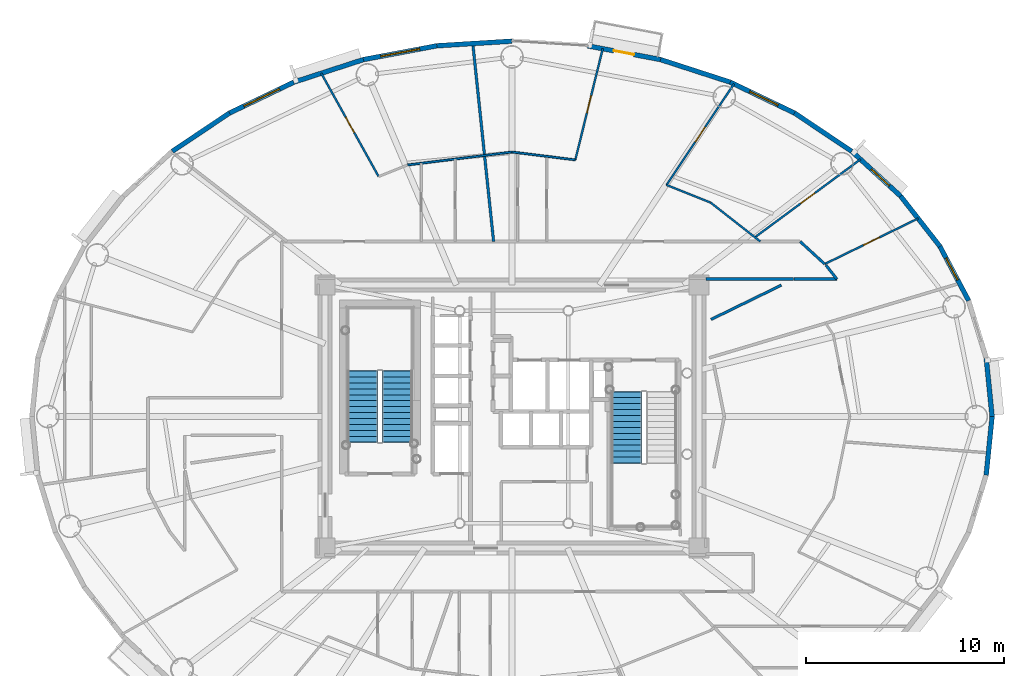
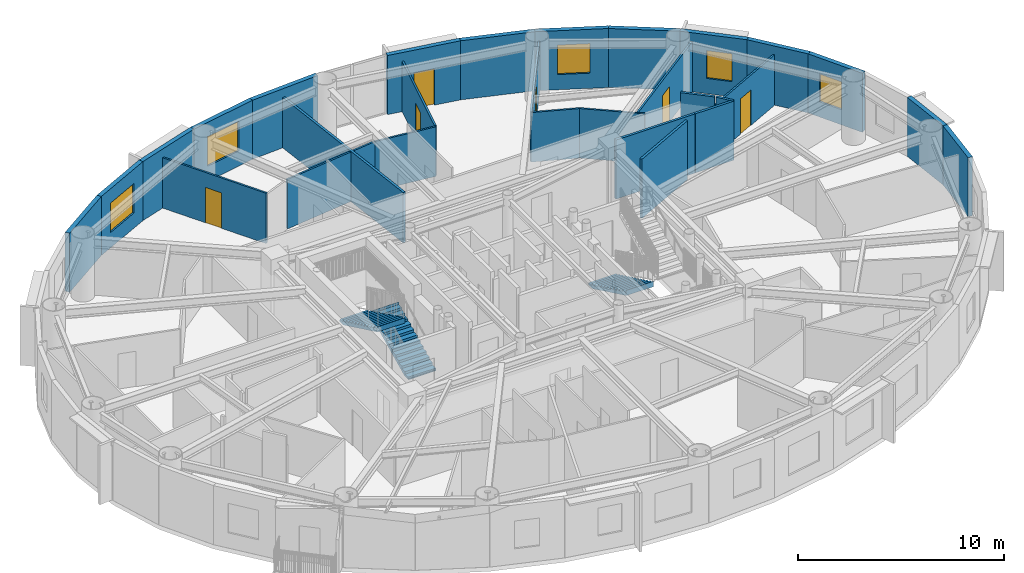
# One storey, part 10 of 18: 29 walls, 6 doors, 5 windows, 3 stair flights, 11 openings, 2 elements without a shape of their own.
"""IFC4 building model written with IfcOpenShell, lengths in metres."""

from ifc_helpers import new_model, si_unit, direction, frame, frame_2d, origin, origin_2d, place, context, subcontext, project, spatial, polyline, rectangle, outline, extrude, source, transform, mapped, material, layer, layer_set, type_object, element, fill, aggregate, save


model = new_model("IFC4")

# Units and contexts
model_context = context("Model", 3, precision=1e-05, world=origin(), true_north=direction((0.0, 1.0)))
body_context = subcontext(model_context, "Body", "Model", "MODEL_VIEW")
ifc_project = project(units=[si_unit("LENGTHUNIT", "METRE"), si_unit("AREAUNIT", "SQUARE_METRE"), si_unit("VOLUMEUNIT", "CUBIC_METRE"), si_unit("PLANEANGLEUNIT", "RADIAN"), si_unit("MASSUNIT", "GRAM", prefix="KILO")], contexts=[model_context])

# Site, building, storey
site_placement = place(None, origin())
site = spatial("IfcSite", under=ifc_project, at=site_placement, CompositionType="ELEMENT")
building_placement = place(site_placement, origin())
building = spatial("IfcBuilding", under=site, at=building_placement, Name="Linh Dai School and Residence Tower", CompositionType="ELEMENT")
storey_placement = place(building_placement, frame((0.0, 0.0, 240.300048828125)))
storey = spatial("IfcBuildingStorey", under=building, at=storey_placement, Name="L59", CompositionType="ELEMENT", Elevation=240.300048828125)

# Wall
ifc_material_1 = material(Name="Precast Concrete B45 (C35/45)", Category="concrete")
ifc_layer_1 = layer(ifc_material_1, 0.239990234375)
ifc_layer_set_1 = layer_set([ifc_layer_1], Name="Precast Concrete B45 (C35/45)")
wall_type_1 = type_object("IfcWallType", Name="EW-TC-240", PredefinedType="SOLIDWALL", material=ifc_layer_set_1)
wall_1_placement = place(storey_placement, frame((59.97705078125, 29.9638671875, 0.0), z_axis=(0.0, 0.0, 1.0), x_axis=(0.099990595253, -0.994988382274, 0.0)))
element("IfcWall", 1, at=wall_1_placement, inside=storey, type_object=wall_type_1, Name="L59 Terracotta Exterior Wall 01", PredefinedType="SOLIDWALL", context=body_context, shape_type="SweptSolid", body=[
    extrude(rectangle(XDim=2.978759765625, YDim=0.239990234375, at=frame_2d((1.4892578125, 0.0))), origin(), (0.0, 0.0, 1.0), 3.5),
])

# Wall, opening, window
wall_2_placement = place(storey_placement, frame((57.6357421875, 35.605224609375, 0.0), z_axis=(0.0, 0.0, 1.0), x_axis=(0.46766049993, -0.883908172157, 0.0)))
wall_2 = element("IfcWall", 2, at=wall_2_placement, inside=storey, type_object=wall_type_1, Name="L59 Terracotta Exterior Wall 03", PredefinedType="SOLIDWALL", context=body_context, shape_type="SweptSolid", body=[
    extrude(rectangle(XDim=3.1103515625, YDim=0.239990234375, at=frame_2d((1.55517578125, 0.0))), origin(), (0.0, 0.0, 1.0), 3.5),
])
opening_1_placement = place(wall_2_placement, frame((0.663818359375, 0.0, 0.89990234375)))
opening_1 = element("IfcOpeningElement", 3, at=opening_1_placement, cuts=wall_2, Name="Opening W3", PredefinedType="OPENING", context=body_context, shape_type="SweptSolid", body=[
    extrude(rectangle(XDim=1.25, YDim=1.64990234375, at=origin_2d()), frame((0.625, 0.1298828125, 0.824951171875), z_axis=(0.0, -1.0, 0.0), x_axis=(1.0, 0.0, 0.0)), (0.0, 0.0, 1.0), 0.260009765625),
])
ifc_material_2 = material(Name="Double Low-E Insulated Glazing", Category="glass")
window_type_1 = type_object("IfcWindowType", Name="WN-RES-1250x1650", PartitioningType="SINGLE_PANEL", PredefinedType="WINDOW", material=ifc_material_2)
shared_shape_1 = source(origin(), body_context, "Body", "SweptSolid", [
    extrude(rectangle(XDim=1.25, YDim=1.64990234375, at=origin_2d()), frame((0.625, 0.030029296875, 0.824951171875), z_axis=(0.0, -1.0, 0.0), x_axis=(1.0, 0.0, 0.0)), (0.0, 0.0, 1.0), 0.06005859375),
])
window_1_placement = place(opening_1_placement, origin())
window_1 = element("IfcWindow", 4, at=window_1_placement, inside=storey, type_object=window_type_1, Name="L59 Dwelling Window U5906-BD1", OverallHeight=1.64990234375, OverallWidth=1.25, PartitioningType="SINGLE_PANEL", PredefinedType="WINDOW", context=body_context, shape_type="MappedRepresentation", body=[
    mapped(shared_shape_1, transform((0.0, 0.0, 0.0), x_axis=(1.0, 0.0, 0.0), y_axis=(0.0, 1.0, 0.0), z_axis=(0.0, 0.0, 1.0), scale=1.0)),
])
fill(opening_1, window_1)

# Wall
wall_3_placement = place(storey_placement, frame((55.6484375, 38.14453125, 0.0), z_axis=(0.0, 0.0, 1.0), x_axis=(0.616312344705, -0.787501805562, 0.0)))
element("IfcWall", 5, at=wall_3_placement, inside=storey, type_object=wall_type_1, Name="L59 Terracotta Exterior Wall 04", PredefinedType="SOLIDWALL", context=body_context, shape_type="SweptSolid", body=[
    extrude(rectangle(XDim=3.224609375, YDim=0.239990234375, at=frame_2d((1.6123046875, 0.0))), origin(), (0.0, 0.0, 1.0), 3.5),
])

# Wall, opening, window
wall_4_placement = place(storey_placement, frame((53.17626953125, 40.410888671875, 0.0), z_axis=(0.0, 0.0, 1.0), x_axis=(0.737123922599, -0.675757591694, 0.0)))
wall_4 = element("IfcWall", 6, at=wall_4_placement, inside=storey, type_object=wall_type_1, Name="L59 Terracotta Exterior Wall 05", PredefinedType="SOLIDWALL", context=body_context, shape_type="SweptSolid", body=[
    extrude(rectangle(XDim=3.353759765625, YDim=0.239990234375, at=frame_2d((1.6767578125, 0.0))), origin(), (0.0, 0.0, 1.0), 3.5),
])
opening_2_placement = place(wall_4_placement, frame((1.3359375, 0.0, 0.89990234375)))
opening_2 = element("IfcOpeningElement", 7, at=opening_2_placement, cuts=wall_4, Name="Opening W3", PredefinedType="OPENING", context=body_context, shape_type="SweptSolid", body=[
    extrude(rectangle(XDim=1.25, YDim=1.64990234375, at=origin_2d()), frame((0.625, 0.1298828125, 0.824951171875), z_axis=(0.0, -1.0, 0.0), x_axis=(1.0, 0.0, 0.0)), (0.0, 0.0, 1.0), 0.260009765625),
])
window_2_placement = place(opening_2_placement, origin())
window_2 = element("IfcWindow", 8, at=window_2_placement, inside=storey, type_object=window_type_1, Name="L59 Exterior Window 05.1", OverallHeight=1.64990234375, OverallWidth=1.25, PartitioningType="SINGLE_PANEL", PredefinedType="WINDOW", context=body_context, shape_type="MappedRepresentation", body=[
    mapped(shared_shape_1, transform((0.0, 0.0, 0.0), x_axis=(1.0, 0.0, 0.0), y_axis=(0.0, 1.0, 0.0), z_axis=(0.0, 0.0, 1.0), scale=1.0)),
])
fill(opening_2, window_2)

# Wall
wall_5_placement = place(storey_placement, frame((50.280029296875, 42.34765625, 0.0), z_axis=(0.0, 0.0, 1.0), x_axis=(0.831262496074, -0.555880079352, 0.0)))
element("IfcWall", 9, at=wall_5_placement, inside=storey, type_object=wall_type_1, Name="L59 Terracotta Exterior Wall 06", PredefinedType="SOLIDWALL", context=body_context, shape_type="SweptSolid", body=[
    extrude(rectangle(XDim=3.484130859375, YDim=0.239990234375, at=frame_2d((1.7421875, 0.0))), origin(), (0.0, 0.0, 1.0), 3.5),
])

# Wall, opening, window
wall_6_placement = place(storey_placement, frame((47.031005859375, 43.906494140625, 0.0), z_axis=(0.0, 0.0, 1.0), x_axis=(0.901598104751, -0.432574684313, 0.0)))
wall_6 = element("IfcWall", 10, at=wall_6_placement, inside=storey, type_object=wall_type_1, Name="L59 Terracotta Exterior Wall 07", PredefinedType="SOLIDWALL", context=body_context, shape_type="SweptSolid", body=[
    extrude(rectangle(XDim=3.603515625, YDim=0.239990234375, at=frame_2d((1.8017578125, 0.0))), origin(), (0.0, 0.0, 1.0), 3.5),
])
opening_3_placement = place(wall_6_placement, frame((1.093994140625, 0.0, 0.89990234375)))
opening_3 = element("IfcOpeningElement", 11, at=opening_3_placement, cuts=wall_6, Name="Opening W2", PredefinedType="OPENING", context=body_context, shape_type="SweptSolid", body=[
    extrude(rectangle(XDim=1.60009765625, YDim=1.75, at=origin_2d()), frame((0.800048828125, 0.1298828125, 0.875), z_axis=(0.0, -1.0, 0.0), x_axis=(1.0, 0.0, 0.0)), (0.0, 0.0, 1.0), 0.260009765625),
])
window_type_2 = type_object("IfcWindowType", Name="WN-RES-1600x1750", PartitioningType="DOUBLE_PANEL_VERTICAL", PredefinedType="WINDOW", material=ifc_material_2)
shared_shape_2 = source(origin(), body_context, "Body", "SweptSolid", [
    extrude(rectangle(XDim=1.60009765625, YDim=1.75, at=origin_2d()), frame((0.800048828125, 0.030029296875, 0.875), z_axis=(0.0, -1.0, 0.0), x_axis=(1.0, 0.0, 0.0)), (0.0, 0.0, 1.0), 0.06005859375),
])
window_3_placement = place(opening_3_placement, origin())
window_3 = element("IfcWindow", 12, at=window_3_placement, inside=storey, type_object=window_type_2, Name="L59 Exterior Window 07.1", OverallHeight=1.75, OverallWidth=1.60009765625, PartitioningType="DOUBLE_PANEL_VERTICAL", PredefinedType="WINDOW", context=body_context, shape_type="MappedRepresentation", body=[
    mapped(shared_shape_2, transform((0.0, 0.0, 0.0), x_axis=(1.0, 0.0, 0.0), y_axis=(0.0, 1.0, 0.0), z_axis=(0.0, 0.0, 1.0), scale=1.0)),
])
fill(opening_3, window_3)

# Wall
wall_7_placement = place(storey_placement, frame((43.50927734375, 45.048828125, 0.0), z_axis=(0.0, 0.0, 1.0), x_axis=(0.951210789182, -0.308541787354, 0.0)))
element("IfcWall", 13, at=wall_7_placement, inside=storey, type_object=wall_type_1, Name="L59 Terracotta Exterior Wall 08", PredefinedType="SOLIDWALL", context=body_context, shape_type="SweptSolid", body=[
    extrude(rectangle(XDim=3.702392578125, YDim=0.239990234375, at=frame_2d((1.85107421875, 0.0))), origin(), (0.0, 0.0, 1.0), 3.5),
])

# Wall, opening, door
wall_8_placement = place(storey_placement, frame((39.801513671875, 45.745849609375, 0.0), z_axis=(0.0, 0.0, 1.0), x_axis=(0.982784898575, -0.184753465822, 0.0)))
wall_8 = element("IfcWall", 14, at=wall_8_placement, inside=storey, type_object=wall_type_1, Name="L59 Terracotta Exterior Wall 09", PredefinedType="SOLIDWALL", context=body_context, shape_type="SweptSolid", body=[
    extrude(rectangle(XDim=3.772705078125, YDim=0.239990234375, at=frame_2d((1.88623046875, 0.0))), origin(), (0.0, 0.0, 1.0), 3.5),
])
opening_4_placement = place(wall_8_placement, frame((1.361328125, 0.0, 0.0)))
opening_4 = element("IfcOpeningElement", 15, at=opening_4_placement, cuts=wall_8, Name="Opening BD1", PredefinedType="OPENING", context=body_context, shape_type="SweptSolid", body=[
    extrude(rectangle(XDim=1.050048828125, YDim=2.14990234375, at=origin_2d()), frame((0.52490234375, 0.1298828125, 1.074951171875), z_axis=(0.0, -1.0, 0.0), x_axis=(1.0, 0.0, 0.0)), (0.0, 0.0, 1.0), 0.260009765625),
])
ifc_material_3 = material(Name="Double-Glazed Balcony Door", Category="glass")
door_type_1 = type_object("IfcDoorType", Name="DR-BALC-1050x2150", OperationType="NOTDEFINED", PredefinedType="DOOR", material=ifc_material_3)
shared_shape_3 = source(origin(), body_context, "Body", "SweptSolid", [
    extrude(rectangle(XDim=1.050048828125, YDim=2.14990234375, at=origin_2d()), frame((0.52490234375, 0.02490234375, 1.074951171875), z_axis=(0.0, -1.0, 0.0), x_axis=(1.0, 0.0, 0.0)), (0.0, 0.0, 1.0), 0.050048828125),
])
door_1_placement = place(opening_4_placement, origin())
door_1 = element("IfcDoor", 16, at=door_1_placement, inside=storey, type_object=door_type_1, Name="L59 Glazed Balcony Door 09", OperationType="SINGLE_SWING_RIGHT", OverallHeight=2.14990234375, OverallWidth=1.050048828125, PredefinedType="DOOR", context=body_context, shape_type="MappedRepresentation", body=[
    mapped(shared_shape_3, transform((0.0, 0.0, 0.0), x_axis=(1.0, 0.0, 0.0), y_axis=(0.0, 1.0, 0.0), z_axis=(0.0, 0.0, 1.0), scale=1.0)),
])
fill(opening_4, door_1)

# Wall
wall_9_placement = place(storey_placement, frame((32.198486328125, 45.745849609375, 0.0), z_axis=(0.0, 0.0, 1.0), x_axis=(0.998108785312, 0.06147237333, 0.0)))
element("IfcWall", 17, at=wall_9_placement, inside=storey, type_object=wall_type_1, Name="L59 Terracotta Exterior Wall 11", PredefinedType="SOLIDWALL", context=body_context, shape_type="SweptSolid", body=[
    extrude(rectangle(XDim=3.808837890625, YDim=0.239990234375, at=frame_2d((1.904296875, 0.0))), origin(), (0.0, 0.0, 1.0), 3.5),
])

# Wall, opening, window
wall_10_placement = place(storey_placement, frame((28.49072265625, 45.048828125, 0.0), z_axis=(0.0, 0.0, 1.0), x_axis=(0.982784898575, 0.184753465822, 0.0)))
wall_10 = element("IfcWall", 18, at=wall_10_placement, inside=storey, type_object=wall_type_1, Name="L59 Terracotta Exterior Wall 12", PredefinedType="SOLIDWALL", context=body_context, shape_type="SweptSolid", body=[
    extrude(rectangle(XDim=3.772705078125, YDim=0.239990234375, at=frame_2d((1.88623046875, 0.0))), origin(), (0.0, 0.0, 1.0), 3.5),
])
opening_5_placement = place(wall_10_placement, frame((0.88623046875, 0.0, 0.89990234375)))
opening_5 = element("IfcOpeningElement", 19, at=opening_5_placement, cuts=wall_10, Name="Opening W1", PredefinedType="OPENING", context=body_context, shape_type="SweptSolid", body=[
    extrude(rectangle(XDim=2.0, YDim=1.75, at=origin_2d()), frame((1.0, 0.1298828125, 0.875), z_axis=(0.0, -1.0, 0.0), x_axis=(1.0, 0.0, 0.0)), (0.0, 0.0, 1.0), 0.260009765625),
])
window_type_3 = type_object("IfcWindowType", Name="WN-RES-2000x1750", PartitioningType="DOUBLE_PANEL_VERTICAL", PredefinedType="WINDOW", material=ifc_material_2)
shared_shape_4 = source(origin(), body_context, "Body", "SweptSolid", [
    extrude(rectangle(XDim=2.0, YDim=1.75, at=origin_2d()), frame((1.0, 0.030029296875, 0.875), z_axis=(0.0, -1.0, 0.0), x_axis=(1.0, 0.0, 0.0)), (0.0, 0.0, 1.0), 0.06005859375),
])
window_4_placement = place(opening_5_placement, origin())
window_4 = element("IfcWindow", 20, at=window_4_placement, inside=storey, type_object=window_type_3, Name="L59 Exterior Window 12.1", OverallHeight=1.75, OverallWidth=2.0, PartitioningType="DOUBLE_PANEL_VERTICAL", PredefinedType="WINDOW", context=body_context, shape_type="MappedRepresentation", body=[
    mapped(shared_shape_4, transform((0.0, 0.0, 0.0), x_axis=(1.0, 0.0, 0.0), y_axis=(0.0, 1.0, 0.0), z_axis=(0.0, 0.0, 1.0), scale=1.0)),
])
fill(opening_5, window_4)

# Wall
wall_11_placement = place(storey_placement, frame((24.968994140625, 43.906494140625, 0.0), z_axis=(0.0, 0.0, 1.0), x_axis=(0.951210789182, 0.308541787354, 0.0)))
element("IfcWall", 21, at=wall_11_placement, inside=storey, type_object=wall_type_1, Name="L59 Terracotta Exterior Wall 13", PredefinedType="SOLIDWALL", context=body_context, shape_type="SweptSolid", body=[
    extrude(rectangle(XDim=3.702392578125, YDim=0.239990234375, at=frame_2d((1.85107421875, 0.0))), origin(), (0.0, 0.0, 1.0), 3.5),
])

# Wall, opening, window
wall_12_placement = place(storey_placement, frame((21.719970703125, 42.34765625, 0.0), z_axis=(0.0, 0.0, 1.0), x_axis=(0.901598104751, 0.432574684313, 0.0)))
wall_12 = element("IfcWall", 22, at=wall_12_placement, inside=storey, type_object=wall_type_1, Name="L59 Terracotta Exterior Wall 14", PredefinedType="SOLIDWALL", context=body_context, shape_type="SweptSolid", body=[
    extrude(rectangle(XDim=3.603515625, YDim=0.239990234375, at=frame_2d((1.8017578125, 0.0))), origin(), (0.0, 0.0, 1.0), 3.5),
])
opening_6_placement = place(wall_12_placement, frame((0.802001953125, 0.0, 0.89990234375)))
opening_6 = element("IfcOpeningElement", 23, at=opening_6_placement, cuts=wall_12, Name="Opening W1", PredefinedType="OPENING", context=body_context, shape_type="SweptSolid", body=[
    extrude(rectangle(XDim=2.0, YDim=1.75, at=origin_2d()), frame((1.0, 0.1298828125, 0.875), z_axis=(0.0, -1.0, 0.0), x_axis=(1.0, 0.0, 0.0)), (0.0, 0.0, 1.0), 0.260009765625),
])
window_5_placement = place(opening_6_placement, origin())
window_5 = element("IfcWindow", 24, at=window_5_placement, inside=storey, type_object=window_type_3, Name="L59 Exterior Window 14.1", OverallHeight=1.75, OverallWidth=2.0, PartitioningType="DOUBLE_PANEL_VERTICAL", PredefinedType="WINDOW", context=body_context, shape_type="MappedRepresentation", body=[
    mapped(shared_shape_4, transform((0.0, 0.0, 0.0), x_axis=(1.0, 0.0, 0.0), y_axis=(0.0, 1.0, 0.0), z_axis=(0.0, 0.0, 1.0), scale=1.0)),
])
fill(opening_6, window_5)

# Walls
wall_13_placement = place(storey_placement, frame((18.82373046875, 40.410888671875, 0.0), z_axis=(0.0, 0.0, 1.0), x_axis=(0.831262496074, 0.555880079352, 0.0)))
element("IfcWall", 25, at=wall_13_placement, inside=storey, type_object=wall_type_1, Name="L59 Terracotta Exterior Wall 15", PredefinedType="SOLIDWALL", context=body_context, shape_type="SweptSolid", body=[
    extrude(rectangle(XDim=3.484130859375, YDim=0.239990234375, at=frame_2d((1.7421875, 0.0))), origin(), (0.0, 0.0, 1.0), 3.5),
])
wall_14_placement = place(storey_placement, frame((60.27490234375, 27.0, 0.0), z_axis=(0.0, 0.0, 1.0), x_axis=(-0.099990595253, -0.994988382274, 0.0)))
element("IfcWall", 26, at=wall_14_placement, inside=storey, type_object=wall_type_1, Name="L59 Terracotta Exterior Wall 40", PredefinedType="SOLIDWALL", context=body_context, shape_type="SweptSolid", body=[
    extrude(rectangle(XDim=2.978759765625, YDim=0.239990234375, at=frame_2d((1.4892578125, 0.0))), origin(), (0.0, 0.0, 1.0), 3.5),
])
ifc_material_4 = material(Name="Autoclaved Aerated Concrete Blockwork", Category="masonry")
ifc_layer_2 = layer(ifc_material_4, 0.135009765625)
ifc_layer_set_2 = layer_set([ifc_layer_2], Name="Autoclaved Aerated Concrete Blockwork")
wall_type_2 = type_object("IfcWallType", Name="IW-CORR-135-EI90", PredefinedType="PARTITIONING", material=ifc_layer_set_2)
wall_15_placement = place(storey_placement, frame((34.017333984375, 45.86279296875, 0.0), z_axis=(0.0, 0.0, 1.0), x_axis=(0.104537097471, -0.994520987839, 0.0)))
element("IfcWall", 27, at=wall_15_placement, inside=storey, type_object=wall_type_2, Name="L59 Interior Partition Wall 044", PredefinedType="PARTITIONING", context=body_context, shape_type="SweptSolid", body=[
    extrude(rectangle(XDim=10.068115234375, YDim=0.135009765625, at=frame_2d((5.0341796875, 0.0))), origin(), (0.0, 0.0, 1.0), 2.98486328125),
])
wall_16_placement = place(storey_placement, frame((50.25146484375, 33.949951171875, 0.0), z_axis=(0.0, 0.0, 1.0), x_axis=(1.0, 0.0, 0.0)))
element("IfcWall", 28, at=wall_16_placement, inside=storey, type_object=wall_type_2, Name="L59 Interior Partition Wall 087", PredefinedType="PARTITIONING", context=body_context, shape_type="SweptSolid", body=[
    extrude(rectangle(XDim=2.17236328125, YDim=0.135009765625, at=frame_2d((1.086181640625, 0.0))), origin(), (0.0, 0.0, 1.0), 3.5),
])
wall_17_placement = place(storey_placement, frame((50.56787109375, 35.85009765625, 0.0), z_axis=(0.0, 0.0, 1.0), x_axis=(0.737130103714, -0.675750849202, 0.0)))
element("IfcWall", 29, at=wall_17_placement, inside=storey, type_object=wall_type_2, Name="L59 Interior Partition Wall 090", PredefinedType="PARTITIONING", context=body_context, shape_type="SweptSolid", body=[
    extrude(rectangle(XDim=1.6865234375, YDim=0.135009765625, at=frame_2d((0.84326171875, 0.0))), origin(), (0.0, 0.0, 1.0), 3.5),
])
wall_18_placement = place(storey_placement, frame((51.873779296875, 34.65283203125, 0.0), z_axis=(0.0, 0.0, 1.0), x_axis=(0.61628613448, -0.787522317429, 0.0)))
element("IfcWall", 30, at=wall_18_placement, inside=storey, type_object=wall_type_2, Name="L59 Interior Partition Wall 093", PredefinedType="PARTITIONING", context=body_context, shape_type="SweptSolid", body=[
    extrude(rectangle(XDim=0.892578125, YDim=0.135009765625, at=frame_2d((0.4462890625, 0.0))), origin(), (0.0, 0.0, 1.0), 3.5),
])
wall_19_placement = place(storey_placement, frame((50.241455078125, 33.949951171875, 0.0), z_axis=(0.0, 0.0, 1.0), x_axis=(-1.0, 0.0, 0.0)))
element("IfcWall", 31, at=wall_19_placement, inside=storey, type_object=wall_type_2, Name="L59 Interior Partition Wall 104", PredefinedType="PARTITIONING", context=body_context, shape_type="SweptSolid", body=[
    extrude(rectangle(XDim=4.44140625, YDim=0.135009765625, at=frame_2d((2.220703125, 0.0))), origin(), (0.0, 0.0, 1.0), 3.5),
])
wall_20_placement = place(storey_placement, frame((46.06005859375, 31.906005859375, 0.0), z_axis=(0.0, 0.0, 1.0), x_axis=(0.898819963923, 0.438318003797, 0.0)))
element("IfcWall", 32, at=wall_20_placement, inside=storey, type_object=wall_type_2, Name="L59 Interior Partition Wall 117", PredefinedType="PARTITIONING", context=body_context, shape_type="SweptSolid", body=[
    extrude(rectangle(XDim=3.9619140625, YDim=0.135009765625, at=frame_2d((1.98095703125, 0.0))), origin(), (0.0, 0.0, 1.0), 3.5),
])

# Wall, opening, door
ifc_material_5 = material(Name="Gypsum Plasterboard Acoustic Stud Partition", Category="masonry")
ifc_layer_3 = layer(ifc_material_5, 0.10009765625)
ifc_layer_set_3 = layer_set([ifc_layer_3], Name="Gypsum Plasterboard Acoustic Stud Partition")
wall_type_3 = type_object("IfcWallType", Name="IW-UNIT-100", PredefinedType="PARTITIONING", material=ifc_layer_set_3)
wall_21_placement = place(storey_placement, frame((26.352783203125, 44.360595703125, 0.0), z_axis=(0.0, 0.0, 1.0), x_axis=(0.485760805935, -0.874091779745, 0.0)))
wall_21 = element("IfcWall", 33, at=wall_21_placement, inside=storey, type_object=wall_type_3, Name="L59 Interior Partition Wall 024", PredefinedType="PARTITIONING", context=body_context, shape_type="SweptSolid", body=[
    extrude(rectangle(XDim=5.978759765625, YDim=0.10009765625, at=frame_2d((2.9892578125, 0.0))), origin(), (0.0, 0.0, 1.0), 2.98486328125),
])
opening_7_placement = place(wall_21_placement, frame((2.539306640625, 0.0, 0.0)))
opening_7 = element("IfcOpeningElement", 34, at=opening_7_placement, cuts=wall_21, Name="Opening D05", PredefinedType="OPENING", context=body_context, shape_type="SweptSolid", body=[
    extrude(rectangle(XDim=0.89990234375, YDim=2.10009765625, at=origin_2d()), frame((0.449951171875, 0.06005859375, 1.050048828125), z_axis=(0.0, -1.0, 0.0), x_axis=(1.0, 0.0, 0.0)), (0.0, 0.0, 1.0), 0.1201171875),
])
ifc_material_6 = material(Name="Engineered Timber Internal Door", Category="wood")
door_type_2 = type_object("IfcDoorType", Name="DR-INT-900x2100", OperationType="NOTDEFINED", PredefinedType="DOOR", material=ifc_material_6)
shared_shape_5 = source(origin(), body_context, "Body", "SweptSolid", [
    extrude(rectangle(XDim=0.89990234375, YDim=2.10009765625, at=origin_2d()), frame((0.449951171875, 0.02490234375, 1.050048828125), z_axis=(0.0, -1.0, 0.0), x_axis=(1.0, 0.0, 0.0)), (0.0, 0.0, 1.0), 0.050048828125),
])
door_2_placement = place(opening_7_placement, origin())
door_2 = element("IfcDoor", 35, at=door_2_placement, inside=storey, type_object=door_type_2, Name="L59 Apartment U5901 Bedroom 1 Door", OperationType="SINGLE_SWING_LEFT", OverallHeight=2.10009765625, OverallWidth=0.89990234375, PredefinedType="DOOR", context=body_context, shape_type="MappedRepresentation", body=[
    mapped(shared_shape_5, transform((0.0, 0.0, 0.0), x_axis=(1.0, 0.0, 0.0), y_axis=(0.0, 1.0, 0.0), z_axis=(0.0, 0.0, 1.0), scale=1.0)),
])
fill(opening_7, door_2)

# Walls
wall_22_placement = place(storey_placement, frame((30.721923828125, 39.718994140625, 0.0), z_axis=(0.0, 0.0, 1.0), x_axis=(0.992397473883, 0.123074180196, 0.0)))
element("IfcWall", 36, at=wall_22_placement, inside=storey, type_object=wall_type_3, Name="L59 Interior Partition Wall 031", PredefinedType="PARTITIONING", context=body_context, shape_type="SweptSolid", body=[
    extrude(rectangle(XDim=5.318359375, YDim=0.10009765625, at=frame_2d((2.6591796875, 0.0))), origin(), (0.0, 0.0, 1.0), 2.93505859375),
])
wall_23_placement = place(storey_placement, frame((36.0, 40.37353515625, 0.0), z_axis=(0.0, 0.0, 1.0), x_axis=(0.992398501838, -0.123065891091, 0.0)))
element("IfcWall", 37, at=wall_23_placement, inside=storey, type_object=wall_type_3, Name="L59 Interior Partition Wall 059", PredefinedType="PARTITIONING", context=body_context, shape_type="SweptSolid", body=[
    extrude(rectangle(XDim=3.2255859375, YDim=0.10009765625, at=frame_2d((1.61279296875, 0.0))), origin(), (0.0, 0.0, 1.0), 2.93505859375),
])

# Wall, opening, door
wall_24_placement = place(storey_placement, frame((39.201171875, 39.9765625, 0.0), z_axis=(0.0, 0.0, 1.0), x_axis=(0.239510975824, 0.970893656617, 0.0)))
wall_24 = element("IfcWall", 38, at=wall_24_placement, inside=storey, type_object=wall_type_3, Name="L59 Interior Partition Wall 066", PredefinedType="PARTITIONING", context=body_context, shape_type="SweptSolid", body=[
    extrude(rectangle(XDim=5.794921875, YDim=0.10009765625, at=frame_2d((2.8974609375, 0.0))), origin(), (0.0, 0.0, 1.0), 2.98486328125),
])
opening_8_placement = place(wall_24_placement, frame((2.447509765625, 0.0, 0.0)))
opening_8 = element("IfcOpeningElement", 39, at=opening_8_placement, cuts=wall_24, Name="Opening D05", PredefinedType="OPENING", context=body_context, shape_type="SweptSolid", body=[
    extrude(rectangle(XDim=0.89990234375, YDim=2.10009765625, at=origin_2d()), frame((0.449951171875, 0.06005859375, 1.050048828125), z_axis=(0.0, -1.0, 0.0), x_axis=(1.0, 0.0, 0.0)), (0.0, 0.0, 1.0), 0.1201171875),
])
door_3_placement = place(opening_8_placement, origin())
door_3 = element("IfcDoor", 40, at=door_3_placement, inside=storey, type_object=door_type_2, Name="L59 Apartment U5906 Bedroom 3 Door", OperationType="SINGLE_SWING_LEFT", OverallHeight=2.10009765625, OverallWidth=0.89990234375, PredefinedType="DOOR", context=body_context, shape_type="MappedRepresentation", body=[
    mapped(shared_shape_5, transform((0.0, 0.0, 0.0), x_axis=(1.0, 0.0, 0.0), y_axis=(0.0, 1.0, 0.0), z_axis=(0.0, 0.0, 1.0), scale=1.0)),
])
fill(opening_8, door_3)

# Wall
wall_25_placement = place(storey_placement, frame((43.8125, 38.707763671875, 0.0), z_axis=(0.0, 0.0, 1.0), x_axis=(0.928806399166, -0.370565342239, 0.0)))
element("IfcWall", 41, at=wall_25_placement, inside=storey, type_object=wall_type_3, Name="L59 Interior Partition Wall 074", PredefinedType="PARTITIONING", context=body_context, shape_type="SweptSolid", body=[
    extrude(rectangle(XDim=2.3974609375, YDim=0.10009765625, at=frame_2d((1.19873046875, 0.0))), origin(), (0.0, 0.0, 1.0), 2.93505859375),
])

# Wall, opening, door
wall_26_placement = place(storey_placement, frame((43.8125, 38.707763671875, 0.0), z_axis=(0.0, 0.0, 1.0), x_axis=(0.555094340213, 0.831787396793, 0.0)))
wall_26 = element("IfcWall", 42, at=wall_26_placement, inside=storey, type_object=wall_type_3, Name="L59 Interior Partition Wall 075", PredefinedType="PARTITIONING", context=body_context, shape_type="SweptSolid", body=[
    extrude(rectangle(XDim=6.1455078125, YDim=0.10009765625, at=frame_2d((3.07275390625, 0.0))), origin(), (0.0, 0.0, 1.0), 2.93505859375),
])
opening_9_placement = place(wall_26_placement, frame((2.622802734375, 0.0, 0.0)))
opening_9 = element("IfcOpeningElement", 43, at=opening_9_placement, cuts=wall_26, Name="Opening D05", PredefinedType="OPENING", context=body_context, shape_type="SweptSolid", body=[
    extrude(rectangle(XDim=0.89990234375, YDim=2.10009765625, at=origin_2d()), frame((0.449951171875, 0.06005859375, 1.050048828125), z_axis=(0.0, -1.0, 0.0), x_axis=(1.0, 0.0, 0.0)), (0.0, 0.0, 1.0), 0.1201171875),
])
door_4_placement = place(opening_9_placement, origin())
door_4 = element("IfcDoor", 44, at=door_4_placement, inside=storey, type_object=door_type_2, Name="L59 Apartment U5906 Principal Bedroom 2 Door", OperationType="SINGLE_SWING_RIGHT", OverallHeight=2.10009765625, OverallWidth=0.89990234375, PredefinedType="DOOR", context=body_context, shape_type="MappedRepresentation", body=[
    mapped(shared_shape_5, transform((0.0, 0.0, 0.0), x_axis=(1.0, 0.0, 0.0), y_axis=(0.0, 1.0, 0.0), z_axis=(0.0, 0.0, 1.0), scale=1.0)),
])
fill(opening_9, door_4)

# Wall
wall_27_placement = place(storey_placement, frame((46.039306640625, 37.8193359375, 0.0), z_axis=(0.0, 0.0, 1.0), x_axis=(0.787364681479, -0.616487516791, 0.0)))
element("IfcWall", 45, at=wall_27_placement, inside=storey, type_object=wall_type_3, Name="L59 Interior Partition Wall 081", PredefinedType="PARTITIONING", context=body_context, shape_type="SweptSolid", body=[
    extrude(rectangle(XDim=3.194580078125, YDim=0.10009765625, at=frame_2d((1.59716796875, 0.0))), origin(), (0.0, 0.0, 1.0), 2.93505859375),
])

# Wall, opening, door
wall_28_placement = place(storey_placement, frame((48.281494140625, 36.063720703125, 0.0), z_axis=(0.0, 0.0, 1.0), x_axis=(0.804612975085, 0.593799596097, 0.0)))
wall_28 = element("IfcWall", 46, at=wall_28_placement, inside=storey, type_object=wall_type_3, Name="L59 Interior Partition Wall 086", PredefinedType="PARTITIONING", context=body_context, shape_type="SweptSolid", body=[
    extrude(rectangle(XDim=6.640380859375, YDim=0.10009765625, at=frame_2d((3.3203125, 0.0))), origin(), (0.0, 0.0, 1.0), 2.98486328125),
])
opening_10_placement = place(wall_28_placement, frame((2.8701171875, 0.0, 0.0)))
opening_10 = element("IfcOpeningElement", 47, at=opening_10_placement, cuts=wall_28, Name="Opening D05", PredefinedType="OPENING", context=body_context, shape_type="SweptSolid", body=[
    extrude(rectangle(XDim=0.89990234375, YDim=2.10009765625, at=origin_2d()), frame((0.449951171875, 0.06005859375, 1.050048828125), z_axis=(0.0, -1.0, 0.0), x_axis=(1.0, 0.0, 0.0)), (0.0, 0.0, 1.0), 0.1201171875),
])
door_5_placement = place(opening_10_placement, origin())
door_5 = element("IfcDoor", 48, at=door_5_placement, inside=storey, type_object=door_type_2, Name="L59 Apartment U5906 Study Door", OperationType="SINGLE_SWING_LEFT", OverallHeight=2.10009765625, OverallWidth=0.89990234375, PredefinedType="DOOR", context=body_context, shape_type="MappedRepresentation", body=[
    mapped(shared_shape_5, transform((0.0, 0.0, 0.0), x_axis=(1.0, 0.0, 0.0), y_axis=(0.0, 1.0, 0.0), z_axis=(0.0, 0.0, 1.0), scale=1.0)),
])
fill(opening_10, door_5)

wall_29_placement = place(storey_placement, frame((51.81103515625, 34.71044921875, 0.0), z_axis=(0.0, 0.0, 1.0), x_axis=(0.89880279574, 0.438353207322, 0.0)))
wall_29 = element("IfcWall", 49, at=wall_29_placement, inside=storey, type_object=wall_type_3, Name="L59 Interior Partition Wall 091", PredefinedType="PARTITIONING", context=body_context, shape_type="SweptSolid", body=[
    extrude(rectangle(XDim=5.25927734375, YDim=0.10009765625, at=frame_2d((2.629638671875, 0.0))), origin(), (0.0, 0.0, 1.0), 2.98486328125),
])
opening_11_placement = place(wall_29_placement, frame((2.1796875, 0.0, 0.0)))
opening_11 = element("IfcOpeningElement", 50, at=opening_11_placement, cuts=wall_29, Name="Opening D05", PredefinedType="OPENING", context=body_context, shape_type="SweptSolid", body=[
    extrude(rectangle(XDim=0.89990234375, YDim=2.10009765625, at=origin_2d()), frame((0.449951171875, 0.06005859375, 1.050048828125), z_axis=(0.0, -1.0, 0.0), x_axis=(1.0, 0.0, 0.0)), (0.0, 0.0, 1.0), 0.1201171875),
])
door_6_placement = place(opening_11_placement, origin())
door_6 = element("IfcDoor", 51, at=door_6_placement, inside=storey, type_object=door_type_2, Name="L59 Apartment U5906 Principal Bedroom 1 Door", OperationType="SINGLE_SWING_LEFT", OverallHeight=2.10009765625, OverallWidth=0.89990234375, PredefinedType="DOOR", context=body_context, shape_type="MappedRepresentation", body=[
    mapped(shared_shape_5, transform((0.0, 0.0, 0.0), x_axis=(1.0, 0.0, 0.0), y_axis=(0.0, 1.0, 0.0), z_axis=(0.0, 0.0, 1.0), scale=1.0)),
])
fill(opening_11, door_6)

# Stair, stair flights
ifc_material_7 = material(Name="Concrete B45 (C35/45)", Category="concrete")
stair_type = type_object("IfcStairType", Name="ST-DOG-1550-R1442", PredefinedType="HALF_TURN_STAIR", material=ifc_material_7)
stair_1_placement = place(storey_placement, origin())
stair_1 = element("IfcStair", 52, at=stair_1_placement, inside=storey, type_object=stair_type, Name="L59 Core Smokeproof Exit Stair ST1", PredefinedType="HALF_TURN_STAIR")
stair_flight_type = type_object("IfcStairFlightType", Name="STF-STR-1550-R1442", PredefinedType="STRAIGHT", material=ifc_material_7)
shared_shape_6 = source(origin(), body_context, "Body", "SweptSolid", [
    extrude(outline(polyline([(-0.02490234375, 0.0), (-0.02490234375, 0.06005859375), (0.0, 0.06005859375), (0.0, 0.144287109375), (0.300048828125, 0.144287109375), (0.300048828125, 0.28857421875), (0.60009765625, 0.28857421875), (0.60009765625, 0.4326171875), (0.89990234375, 0.4326171875), (0.89990234375, 0.576904296875), (1.199951171875, 0.576904296875), (1.199951171875, 0.72119140625), (1.5, 0.72119140625), (1.5, 0.865478515625), (1.800048828125, 0.865478515625), (1.800048828125, 1.009521484375), (2.10009765625, 1.009521484375), (2.10009765625, 1.15380859375), (2.39990234375, 1.15380859375), (2.39990234375, 1.298095703125), (2.699951171875, 1.298095703125), (2.699951171875, 1.4423828125), (3.0, 1.4423828125), (3.0, 1.58642578125), (3.300048828125, 1.58642578125), (3.300048828125, 1.730712890625), (3.60009765625, 1.730712890625), (3.60009765625, 1.875), (3.625, 1.875), (3.625, 1.564453125), (3.60009765625, 1.564453125), (0.345947265625, 0.0), (-0.02490234375, 0.0)])), frame((0.0, 0.77490234375, 0.0), z_axis=(0.0, -1.0, 0.0), x_axis=(1.0, 0.0, 0.0)), (0.0, 0.0, 1.0), 1.550048828125),
])
stair_flight_1_placement = place(storey_placement, frame((30.205078125, 25.699951171875, 0.0), z_axis=(0.0, 0.0, 1.0), x_axis=(0.0, 1.0, 0.0)))
stair_flight_1 = element("IfcStairFlight", 53, at=stair_flight_1_placement, type_object=stair_flight_type, Name="ST1 flight 1", NumberOfRisers=13, NumberOfTreads=12, PredefinedType="STRAIGHT", RiserHeight=0.144230769, TreadLength=0.3, context=body_context, shape_type="MappedRepresentation", body=[
    mapped(shared_shape_6, transform((0.0, 0.0, 0.0), x_axis=(1.0, 0.0, 0.0), y_axis=(0.0, 1.0, 0.0), z_axis=(0.0, 0.0, 1.0), scale=1.0)),
])
stair_flight_2_placement = place(storey_placement, frame((28.455078125, 29.300048828125, 1.875), z_axis=(0.0, 0.0, 1.0), x_axis=(0.0, -1.0, 0.0)))
stair_flight_2 = element("IfcStairFlight", 54, at=stair_flight_2_placement, type_object=stair_flight_type, Name="ST1 flight 2", NumberOfRisers=13, NumberOfTreads=12, PredefinedType="STRAIGHT", RiserHeight=0.144230769, TreadLength=0.3, context=body_context, shape_type="MappedRepresentation", body=[
    mapped(shared_shape_6, transform((0.0, 0.0, 0.0), x_axis=(1.0, 0.0, 0.0), y_axis=(0.0, 1.0, 0.0), z_axis=(0.0, 0.0, 1.0), scale=1.0)),
])
aggregate(stair_1, [stair_flight_1, stair_flight_2])

# Stair, stair flight
stair_2_placement = place(storey_placement, origin())
stair_2 = element("IfcStair", 55, at=stair_2_placement, inside=storey, type_object=stair_type, Name="L59 Core Smokeproof Exit Stair ST2", PredefinedType="HALF_TURN_STAIR")
stair_flight_3_placement = place(storey_placement, frame((41.794921875, 28.25, 0.0), z_axis=(0.0, 0.0, 1.0), x_axis=(0.0, -1.0, 0.0)))
stair_flight_3 = element("IfcStairFlight", 56, at=stair_flight_3_placement, type_object=stair_flight_type, Name="ST2 flight 1", NumberOfRisers=13, NumberOfTreads=12, PredefinedType="STRAIGHT", RiserHeight=0.144230769, TreadLength=0.3, context=body_context, shape_type="MappedRepresentation", body=[
    mapped(shared_shape_6, transform((0.0, 0.0, 0.0), x_axis=(1.0, 0.0, 0.0), y_axis=(0.0, 1.0, 0.0), z_axis=(0.0, 0.0, 1.0), scale=1.0)),
])
aggregate(stair_2, [stair_flight_3])

save(model, "model.ifc")
